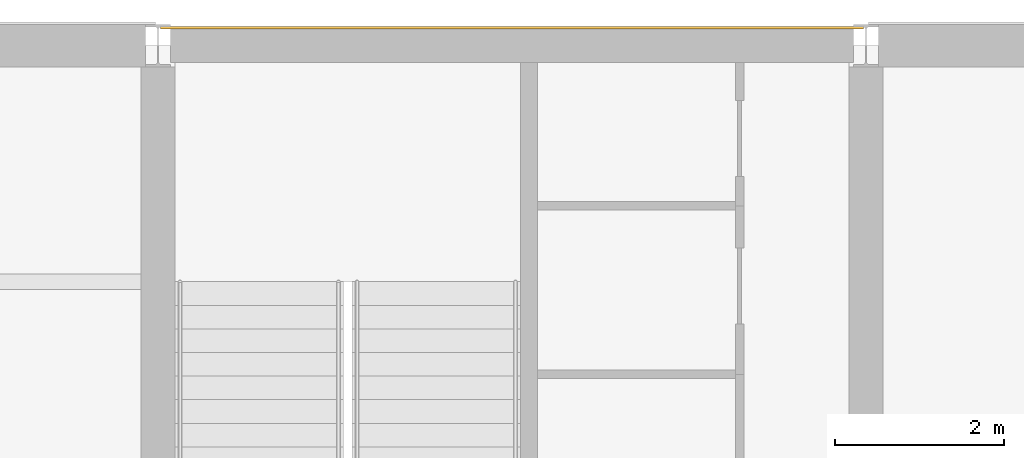
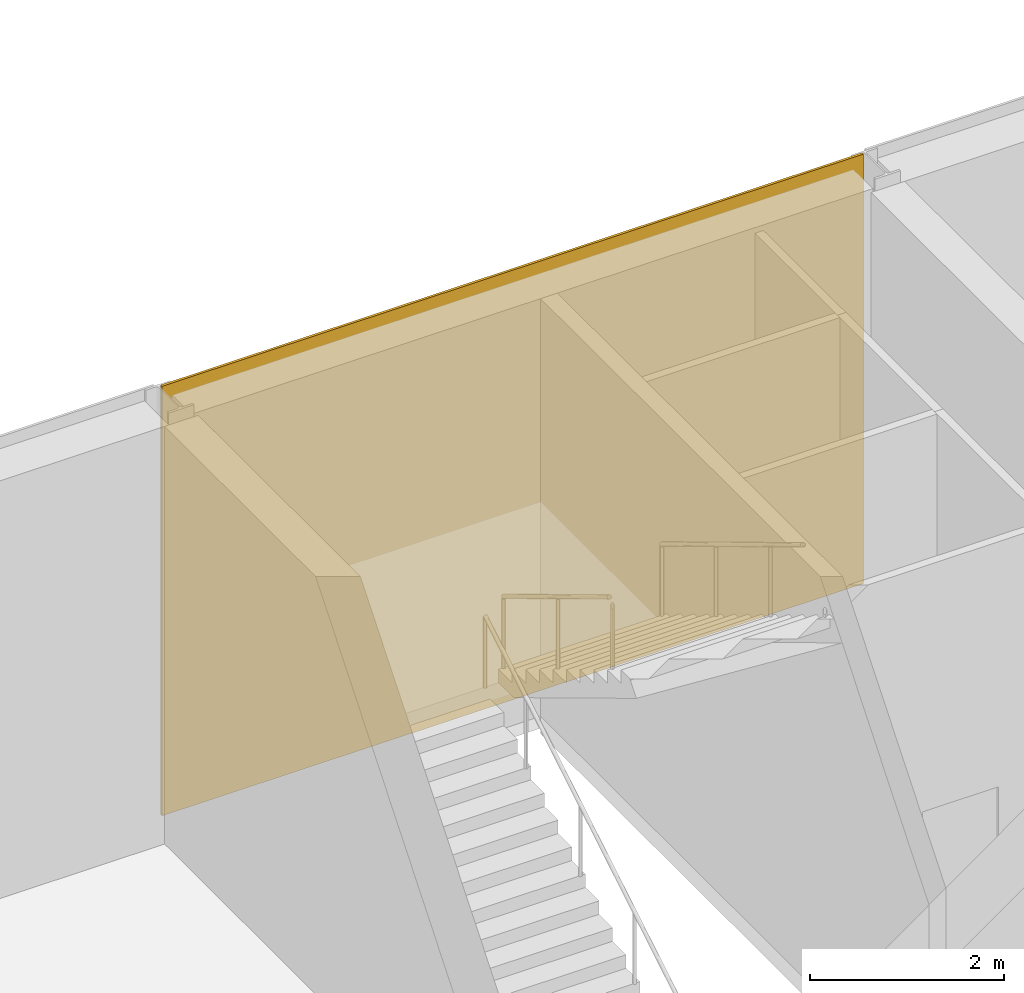
# One storey, part 55 of 64: 1 covering.
"""IFC4 building model written with IfcOpenShell, lengths in metres."""

import ifcopenshell
import ifcopenshell.guid

model = None  # the IFC model being written
_history = None  # IfcOwnerHistory: only IFC2X3 demands one
_inside = {}  # id of a spatial element -> (the spatial element, [elements in it])
_under = {}  # id of a project, library or spatial element -> (it, [spatial elements below it])
_declared = {}  # id of a project -> (the project, [libraries it declares])
_typed = {}  # id of a type object -> (the type object, [elements of that type])
_made_of = {}  # id of a material, layer set ... -> (it, [elements and type objects made of it])


def new_model(schema):
    """Start an empty IFC model of exactly this schema.

    Asked for "IFC4X3", IfcOpenShell would pick the latest addendum, in which some entities
    have other attributes; the version numbers below select the first issue.
    IFC2X3 requires an IfcOwnerHistory on every rooted entity: one is made here for all.
    """
    global model, _history
    if schema == "IFC4X3":
        model = ifcopenshell.file(schema_version=(4, 3, 0, 0))
    else:
        model = ifcopenshell.file(schema=schema)
    _inside.clear()
    _under.clear()
    _declared.clear()
    _typed.clear()
    _made_of.clear()
    _history = None
    if model.schema == "IFC2X3":
        org = make("IfcOrganization", Name="unknown")
        user = make(
            "IfcPersonAndOrganization",
            ThePerson=make("IfcPerson", FamilyName="unknown"),
            TheOrganization=org,
        )
        app = make(
            "IfcApplication",
            ApplicationDeveloper=org,
            Version="unknown",
            ApplicationFullName="unknown",
            ApplicationIdentifier="unknown",
        )
        _history = make(
            "IfcOwnerHistory",
            OwningUser=user,
            OwningApplication=app,
            ChangeAction="ADDED",
            CreationDate=0,
        )
    return model


def make(cls, **values):
    """One entity of the class cls with the attributes given. An attribute that is None is left unset."""
    return model.create_entity(
        cls, **{name: value for name, value in values.items() if value is not None}
    )


def rooted(cls, **values):
    """An entity with a GlobalId (a new one), such as an element, a storey or a relation."""
    return make(cls, GlobalId=ifcopenshell.guid.new(), OwnerHistory=_history, **values)


def si_unit(unit_type, name, prefix=None):
    """IfcSIUnit, for example si_unit("LENGTHUNIT", "METRE", prefix="MILLI")."""
    return make("IfcSIUnit", UnitType=unit_type, Prefix=prefix, Name=name)


def assignment(units):
    """IfcUnitAssignment: the units of a project."""
    return None if units is None else make("IfcUnitAssignment", Units=units)


def point(xyz):
    """IfcCartesianPoint."""
    return None if xyz is None else make("IfcCartesianPoint", Coordinates=xyz)


def direction(xyz):
    """IfcDirection."""
    return None if xyz is None else make("IfcDirection", DirectionRatios=xyz)


def frame(location, z_axis=None, x_axis=None):
    """IfcAxis2Placement3D, a coordinate frame: its origin and axes. An axis left out is left unset."""
    return make(
        "IfcAxis2Placement3D",
        Location=point(location),
        Axis=direction(z_axis),
        RefDirection=direction(x_axis),
    )


def frame_2d(location, x_axis=None):
    """IfcAxis2Placement2D, a coordinate frame in the plane: its origin and x axis."""
    return make(
        "IfcAxis2Placement2D", Location=point(location), RefDirection=direction(x_axis)
    )


def origin():
    """The frame at (0, 0, 0) with its axes left unset."""
    return frame((0.0, 0.0, 0.0))


def origin_2d():
    """The frame at (0, 0) in the plane with its x axis left unset."""
    return frame_2d((0.0, 0.0))


def place(relative_to, where):
    """IfcLocalPlacement: puts the frame where relative to a parent placement (None: the world)."""
    return make(
        "IfcLocalPlacement", PlacementRelTo=relative_to, RelativePlacement=where
    )


def context(
    kind, dimensions, precision=None, world=None, true_north=None, identifier=None
):
    """IfcGeometricRepresentationContext, for example the 3D "Model" context."""
    return make(
        "IfcGeometricRepresentationContext",
        ContextIdentifier=identifier,
        ContextType=kind,
        CoordinateSpaceDimension=dimensions,
        Precision=precision,
        WorldCoordinateSystem=world,
        TrueNorth=true_north,
    )


def subcontext(parent, identifier, kind, view, scale=None):
    """IfcGeometricRepresentationSubContext, for example "Body" below "Model"."""
    return make(
        "IfcGeometricRepresentationSubContext",
        ContextIdentifier=identifier,
        ContextType=kind,
        ParentContext=parent,
        TargetScale=scale,
        TargetView=view,
    )


def project(units=None, contexts=None):
    """IfcProject with its units and contexts."""
    return rooted(
        "IfcProject",
        Name="project",
        RepresentationContexts=contexts,
        UnitsInContext=assignment(units),
    )


def spatial(cls, under=None, at=None, **own):
    """A site, building, storey or space (cls), placed at a placement, below another one or the project."""
    s = rooted(cls, ObjectPlacement=at, **own)
    if under is not None:
        _under.setdefault(under.id(), (under, []))[1].append(s)
    return s


def profile(cls, at=None, kind="AREA", **sizes):
    """A parametric profile (cls). Its sizes go by their IFC names, for example OverallWidth=200.0."""
    return make(cls, ProfileType=kind, Position=at, **sizes)


def rectangle(**sizes):
    """IfcRectangleProfileDef."""
    return profile("IfcRectangleProfileDef", **sizes)


def extrude(swept, where, along, depth):
    """IfcExtrudedAreaSolid: the profile swept, set in the frame where, extruded along a direction by depth."""
    return make(
        "IfcExtrudedAreaSolid",
        SweptArea=swept,
        Position=where,
        ExtrudedDirection=direction(along),
        Depth=depth,
    )


def shape(context_of_items, identifier, shape_type, items):
    """IfcShapeRepresentation: the items that make up one representation, for example the "Body"."""
    return make(
        "IfcShapeRepresentation",
        ContextOfItems=context_of_items,
        RepresentationIdentifier=identifier,
        RepresentationType=shape_type,
        Items=items,
    )


def material(Name=None, Category=None):
    """IfcMaterial."""
    return make("IfcMaterial", Name=Name, Category=Category)


def layer(
    of_material, thickness, ventilated=None, Name=None, Category=None, Priority=None
):
    """IfcMaterialLayer: one layer of a wall or slab, of a material (None: an air gap)."""
    return make(
        "IfcMaterialLayer",
        Material=of_material,
        LayerThickness=thickness,
        IsVentilated=ventilated,
        Name=Name,
        Category=Category,
        Priority=Priority,
    )


def layer_set(layers, Name=None):
    """IfcMaterialLayerSet."""
    return make("IfcMaterialLayerSet", MaterialLayers=layers, LayerSetName=Name)


def made_of(thing, what):
    """Note that an element or type object is made of a material, layer set ...; save() writes the relation."""
    if what is not None:
        _made_of.setdefault(what.id(), (what, []))[1].append(thing)
    return thing


def type_object(cls, material=None, **own):
    """A type object (cls), such as IfcWallType, which elements share."""
    return made_of(rooted(cls, **own), material)


def element(
    cls,
    number,
    at=None,
    inside=None,
    cuts=None,
    type_object=None,
    material=None,
    context=None,
    identifier="Body",
    shape_type=None,
    held_by="IfcProductDefinitionShape",
    body=None,
    shapes=None,
    **own,
):
    """One element of the class cls, such as IfcWall. Its Tag is "e" and its number.

    at: its placement. inside: the storey or other place that contains it. cuts: it is an
    opening in that element (IfcRelVoidsElement). A single representation is given by context,
    identifier, shape_type and body (its items); several are given by shapes. held_by: the class
    of the entity that holds the representations. save() writes the other relations.
    """
    e = rooted(cls, Tag="e%d" % number, ObjectPlacement=at, **own)
    if body is not None:
        shapes = [shape(context, identifier, shape_type, body)]
    if shapes is not None:
        e.Representation = make(held_by, Representations=shapes)
    if inside is not None:
        _inside.setdefault(inside.id(), (inside, []))[1].append(e)
    if cuts is not None:
        rooted(
            "IfcRelVoidsElement", RelatingBuildingElement=cuts, RelatedOpeningElement=e
        )
    if type_object is not None:
        _typed.setdefault(type_object.id(), (type_object, []))[1].append(e)
    return made_of(e, material)


def aggregate(whole, parts):
    """IfcRelAggregates: a whole, such as a stair, and the parts it consists of."""
    return rooted("IfcRelAggregates", RelatingObject=whole, RelatedObjects=parts)


def save(model, path):
    """Write the relations noted so far, then the file.

    IfcRelAggregates (storeys below a building ...), IfcRelContainedInSpatialStructure (elements
    in a storey), IfcRelDefinesByType, IfcRelAssociatesMaterial and IfcRelDeclares: one each for
    every whole, place, type object, material and project.
    """
    for whole, parts in _under.values():
        aggregate(whole, parts)
    for where, things in _inside.values():
        rooted(
            "IfcRelContainedInSpatialStructure",
            RelatedElements=things,
            RelatingStructure=where,
        )
    for kind, things in _typed.values():
        rooted("IfcRelDefinesByType", RelatedObjects=things, RelatingType=kind)
    for what, things in _made_of.values():
        rooted("IfcRelAssociatesMaterial", RelatedObjects=things, RelatingMaterial=what)
    for by, libraries in _declared.values():
        rooted("IfcRelDeclares", RelatingContext=by, RelatedDefinitions=libraries)
    model.write(path)


model = new_model("IFC4")

# Units and contexts
model_context = context("Model", 3, precision=1e-05, world=origin(), true_north=direction((0.0, 1.0)))
body_context = subcontext(model_context, "Body", "Model", "MODEL_VIEW")
ifc_project = project(units=[si_unit("LENGTHUNIT", "METRE"), si_unit("AREAUNIT", "SQUARE_METRE"), si_unit("VOLUMEUNIT", "CUBIC_METRE"), si_unit("PLANEANGLEUNIT", "RADIAN"), si_unit("MASSUNIT", "GRAM", prefix="KILO")], contexts=[model_context])

# Site, building, storey
site_placement = place(None, origin())
site = spatial("IfcSite", under=ifc_project, at=site_placement, CompositionType="ELEMENT")
building_placement = place(site_placement, origin())
building = spatial("IfcBuilding", under=site, at=building_placement, Name="Galleria Vessillo Department Store", CompositionType="ELEMENT")
storey_placement = place(building_placement, frame((0.0, 0.0, 6.0)))
storey = spatial("IfcBuildingStorey", under=building, at=storey_placement, Name="L01", CompositionType="ELEMENT", Elevation=6.0)

# Covering
ifc_material = material(Name="Lime plaster (intonaco) ochre")
ifc_layer = layer(ifc_material, 0.030029296875)
ifc_layer_set = layer_set([ifc_layer], Name="Lime plaster (intonaco) ochre")
covering_type = type_object("IfcCoveringType", Name="Lime plaster render 30 mm", PredefinedType="CLADDING", material=ifc_layer_set)
covering_placement = place(storey_placement, frame((63.0, 63.215087890625, 0.0), z_axis=(0.0, 0.0, 1.0), x_axis=(1.0, 0.0, 0.0)))
element("IfcCovering", 1, at=covering_placement, inside=storey, type_object=covering_type, Name="Wall cladding S-CW-PC-NC-PARTY-L01", PredefinedType="CLADDING", context=body_context, shape_type="SweptSolid", body=[
    extrude(rectangle(XDim=8.33984375, YDim=0.030029296875, at=origin_2d()), origin(), (0.0, 0.0, 1.0), 5.39990234375),
])

save(model, "model.ifc")
